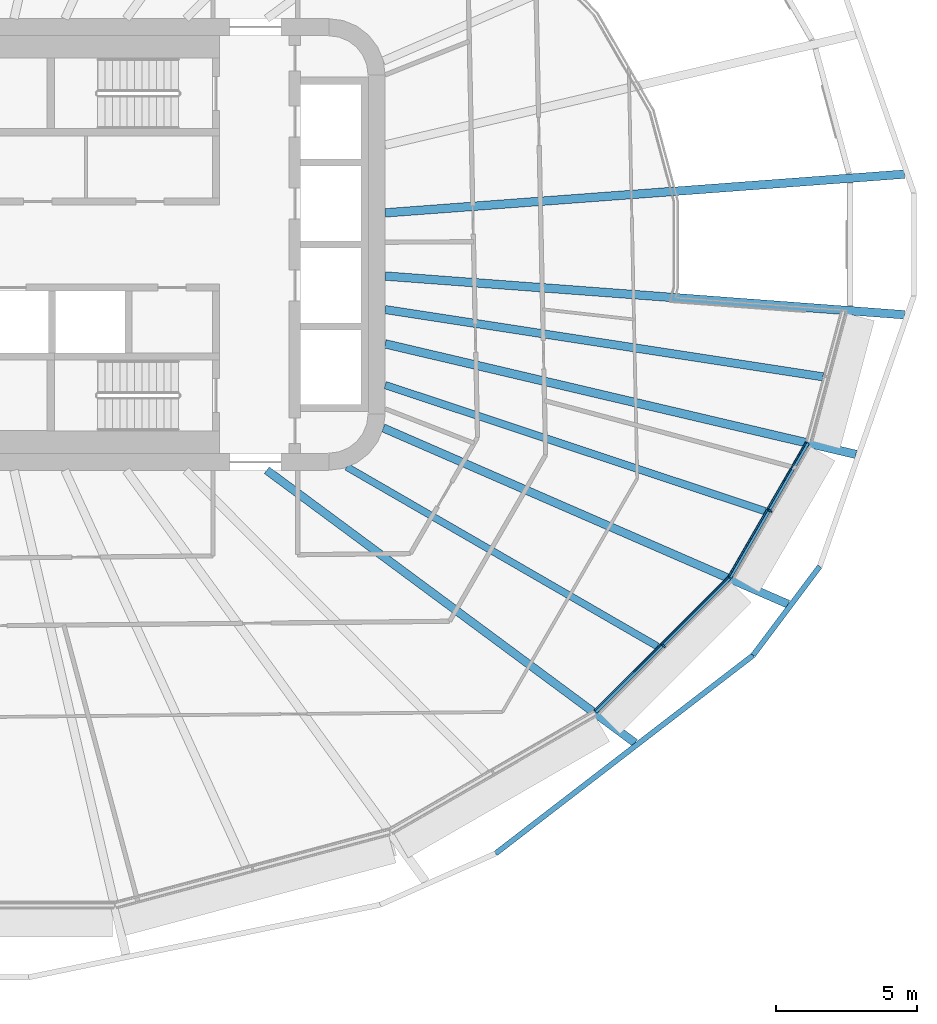
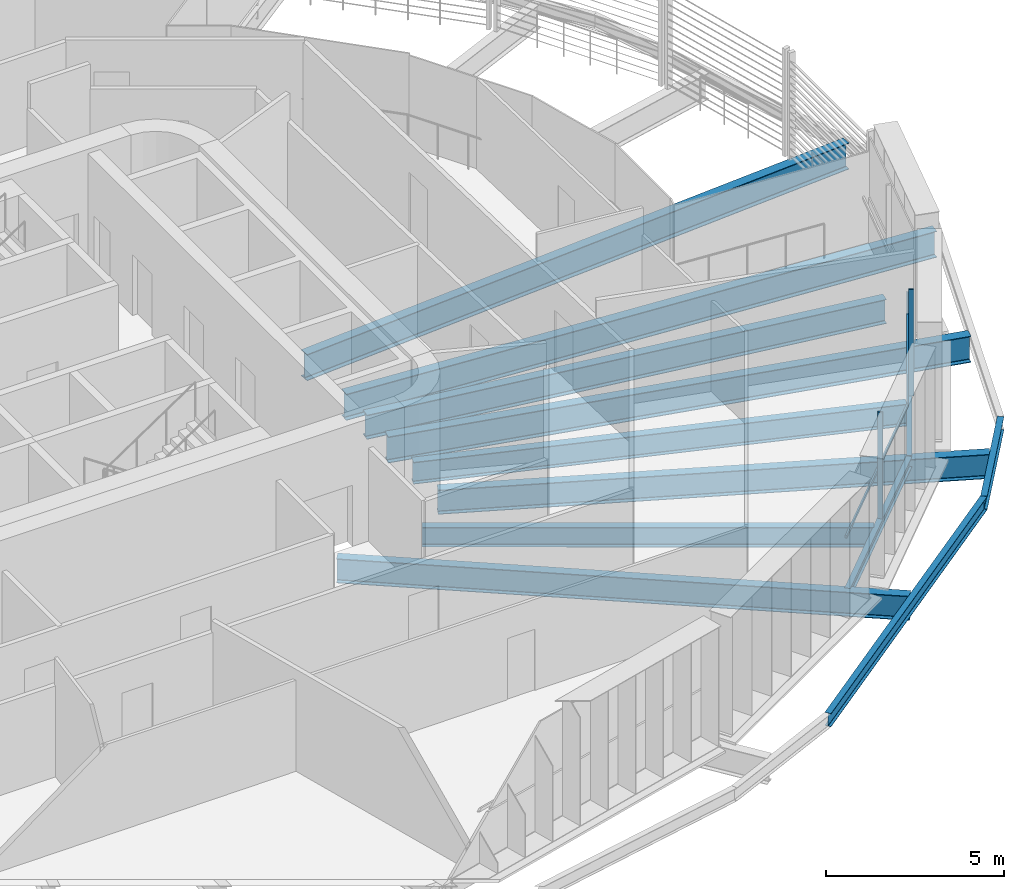
# One storey, part 5 of 28: 12 beams, 4 members, 2 elements without a shape of their own.
"""IFC4 building model written with IfcOpenShell, lengths in metres."""

from ifc_helpers import new_model, si_unit, direction, frame, origin, origin_2d, place, context, subcontext, project, spatial, rectangle, i_section, extrude, material, layer, layer_set, material_profile, profile_set, type_object, element, aggregate, save


model = new_model("IFC4")

# Units and contexts
model_context = context("Model", 3, precision=1e-05, world=origin(), true_north=direction((0.0, 1.0)))
body_context = subcontext(model_context, "Body", "Model", "MODEL_VIEW")
ifc_project = project(units=[si_unit("LENGTHUNIT", "METRE"), si_unit("AREAUNIT", "SQUARE_METRE"), si_unit("VOLUMEUNIT", "CUBIC_METRE"), si_unit("PLANEANGLEUNIT", "RADIAN"), si_unit("MASSUNIT", "GRAM", prefix="KILO")], contexts=[model_context])

# Site, building, storey
site_placement = place(None, origin())
site = spatial("IfcSite", under=ifc_project, at=site_placement, CompositionType="ELEMENT")
building_placement = place(site_placement, origin())
building = spatial("IfcBuilding", under=site, at=building_placement, Name="Sahrelin Media Tower", CompositionType="ELEMENT")
storey_placement = place(building_placement, frame((0.0, 0.0, 75.60009765625)))
storey = spatial("IfcBuildingStorey", under=building, at=storey_placement, Name="L13", CompositionType="ELEMENT", Elevation=75.60009765625)

# Beams
ifc_material_1 = material(Name="Steel S355", Category="steel")
ifc_material_profile_1 = material_profile(ifc_material_1, i_section(OverallWidth=0.1650390625, OverallDepth=0.303466796875, WebThickness=0.006103515625, FlangeThickness=0.01025390625, FilletRadius=0.0087890625, at=origin_2d()), Name="UB 305x165x40")
ifc_profile_set_1 = profile_set([ifc_material_profile_1], Name="Steel S355")
beam_type_1 = type_object("IfcBeamType", Name="Edge beam EB2", PredefinedType="BEAM", material=ifc_profile_set_1)
beam_1_placement = place(storey_placement, frame((29.95703125, -7.022705078125, -0.3017578125), z_axis=(-0.499990020211, -0.866031165542, 0.0), x_axis=(0.866031165542, -0.499990020211, 0.0)))
element("IfcBeam", 1, at=beam_1_placement, inside=storey, type_object=beam_type_1, Name="Edge beam L13-02", PredefinedType="BEAM", context=body_context, shape_type="SweptSolid", body=[
    extrude(i_section(OverallWidth=0.1650390625, OverallDepth=0.303466796875, WebThickness=0.006103515625, FlangeThickness=0.01025390625, FilletRadius=0.0087890625, at=origin_2d()), origin(), (0.0, 0.0, 1.0), 5.50244140625),
])
ifc_material_profile_2 = material_profile(ifc_material_1, i_section(OverallWidth=0.17138671875, OverallDepth=0.35498046875, WebThickness=0.00732421875, FlangeThickness=0.011474609375, FilletRadius=0.01025390625, at=origin_2d()), Name="UB 356x171x51")
ifc_profile_set_2 = profile_set([ifc_material_profile_2], Name="Steel S355")
beam_type_2 = type_object("IfcBeamType", Name="Edge beam EB3", PredefinedType="BEAM", material=ifc_profile_set_2)
beam_2_placement = place(storey_placement, frame((27.188232421875, -11.81103515625, -0.32763671875), z_axis=(-0.707106781187, -0.707106781187, 0.0), x_axis=(0.707106781187, -0.707106781187, 0.0)))
element("IfcBeam", 2, at=beam_2_placement, inside=storey, type_object=beam_type_2, Name="Edge beam L13-03", PredefinedType="BEAM", context=body_context, shape_type="SweptSolid", body=[
    extrude(i_section(OverallWidth=0.17138671875, OverallDepth=0.35498046875, WebThickness=0.00732421875, FlangeThickness=0.011474609375, FilletRadius=0.01025390625, at=origin_2d()), origin(), (0.0, 0.0, 1.0), 6.703369140625),
])

# Curtain wall, member
ifc_material_2 = material(Name="Champagne anodised aluminium 6063-T6", Category="aluminium")
ifc_layer = layer(ifc_material_2, 0.14990234375)
ifc_layer_set = layer_set([ifc_layer], Name="Tower ribbon curtain wall")
curtain_wall_type = type_object("IfcCurtainWallType", Name="Tower ribbon curtain wall", PredefinedType="NOTDEFINED", material=ifc_layer_set)
curtain_wall_1_placement = place(storey_placement, frame((24.92431640625, -14.287109375, 0.0), z_axis=(0.0, 0.0, 1.0), x_axis=(1.0, 0.0, 0.0)))
curtain_wall_1 = element("IfcCurtainWall", 3, at=curtain_wall_1_placement, inside=storey, type_object=curtain_wall_type, Name="L13:CW:L13-21", PredefinedType="NOTDEFINED")
ifc_material_profile_3 = material_profile(ifc_material_2, rectangle(XDim=0.06005859375, YDim=0.14990234375, at=origin_2d()), Name="Mullion 60x150")
ifc_profile_set_3 = profile_set([ifc_material_profile_3], Name="Champagne anodised aluminium 6063-T6")
member_type_1 = type_object("IfcMemberType", Name="Mullion 60x150 CW1", PredefinedType="MULLION", material=ifc_profile_set_3)
member_1_placement = place(storey_placement, frame((24.857177734375, -14.219970703125, 0.0), z_axis=(0.0, 0.0, 1.0), x_axis=(0.707106781187, 0.707106781187, 0.0)))
member_1 = element("IfcMember", 4, at=member_1_placement, type_object=member_type_1, Name="L13:CWM:L13-21", PredefinedType="MULLION", context=body_context, shape_type="SweptSolid", body=[
    extrude(rectangle(XDim=0.06005859375, YDim=0.14990234375, at=origin_2d()), origin(), (0.0, 0.0, 1.0), 3.6484375),
])

curtain_wall_2_placement = place(storey_placement, frame((28.711181640625, -9.48046875, 0.0), z_axis=(0.0, 0.0, 1.0), x_axis=(1.0, 0.0, 0.0)))
curtain_wall_2 = element("IfcCurtainWall", 5, at=curtain_wall_2_placement, inside=storey, type_object=curtain_wall_type, Name="L13:CW:L13-22", PredefinedType="NOTDEFINED")
member_2_placement = place(storey_placement, frame((28.62890625, -9.43310546875, 0.0), z_axis=(0.0, 0.0, 1.0), x_axis=(0.5, 0.866025403784, 0.0)))
member_2 = element("IfcMember", 6, at=member_2_placement, type_object=member_type_1, Name="L13:CWM:L13-22", PredefinedType="MULLION", context=body_context, shape_type="SweptSolid", body=[
    extrude(rectangle(XDim=0.06005859375, YDim=0.14990234375, at=origin_2d()), origin(), (0.0, 0.0, 1.0), 3.6484375),
])

# Beams
ifc_material_profile_4 = material_profile(ifc_material_1, i_section(OverallWidth=0.291748046875, OverallDepth=0.8349609375, WebThickness=0.013916015625, FlangeThickness=0.018798828125, FilletRadius=0.017822265625, at=origin_2d()), Name="UB 838x292x176")
ifc_profile_set_4 = profile_set([ifc_material_profile_4], Name="Steel S355")
beam_type_3 = type_object("IfcBeamType", Name="Radial primary beam PB10", PredefinedType="BEAM", material=ifc_profile_set_4)
beam_3_placement = place(storey_placement, frame((10.804931640625, -8.0, -0.567626953125), z_axis=(0.803688811916, -0.59504982447, 0.0), x_axis=(0.59504982447, 0.803688811916, 0.0)))
element("IfcBeam", 7, at=beam_3_placement, inside=storey, type_object=beam_type_3, Name="Radial beam L13-21", PredefinedType="BEAM", context=body_context, shape_type="SweptSolid", body=[
    extrude(i_section(OverallWidth=0.291748046875, OverallDepth=0.8349609375, WebThickness=0.013916015625, FlangeThickness=0.018798828125, FilletRadius=0.017822265625, at=origin_2d()), origin(), (0.0, 0.0, 1.0), 16.22998046875),
])
beam_4_placement = place(storey_placement, frame((14.93408203125, -6.50146484375, -0.567626953125), z_axis=(0.916883824537, -0.399154171095, 0.0), x_axis=(0.399154171095, 0.916883824537, 0.0)))
element("IfcBeam", 8, at=beam_4_placement, inside=storey, type_object=beam_type_3, Name="Radial beam L13-22", PredefinedType="BEAM", context=body_context, shape_type="SweptSolid", body=[
    extrude(i_section(OverallWidth=0.291748046875, OverallDepth=0.8349609375, WebThickness=0.013916015625, FlangeThickness=0.018798828125, FilletRadius=0.017822265625, at=origin_2d()), origin(), (0.0, 0.0, 1.0), 15.6396484375),
])
ifc_material_profile_5 = material_profile(ifc_material_1, i_section(OverallWidth=0.30322265625, OverallDepth=0.903076171875, WebThickness=0.01513671875, FlangeThickness=0.020263671875, FilletRadius=0.01904296875, at=origin_2d()), Name="UB 914x305x201")
ifc_profile_set_5 = profile_set([ifc_material_profile_5], Name="Steel S355")
beam_type_4 = type_object("IfcBeamType", Name="Radial primary beam PB11", PredefinedType="BEAM", material=ifc_profile_set_5)
beam_5_placement = place(storey_placement, frame((15.0, 1.118896484375, -0.6015625), z_axis=(0.997229894018, 0.074381035738, 0.0), x_axis=(-0.074381035738, 0.997229894018, 0.0)))
element("IfcBeam", 9, at=beam_5_placement, inside=storey, type_object=beam_type_4, Name="Radial beam L13-01", PredefinedType="BEAM", context=body_context, shape_type="SweptSolid", body=[
    extrude(i_section(OverallWidth=0.30322265625, OverallDepth=0.903076171875, WebThickness=0.01513671875, FlangeThickness=0.020263671875, FilletRadius=0.01904296875, at=origin_2d()), origin(), (0.0, 0.0, 1.0), 18.44970703125),
])
beam_6_placement = place(storey_placement, frame((15.0, -3.521728515625, -0.6015625), z_axis=(0.973524160463, -0.228584139859, 0.0), x_axis=(0.228584139859, 0.973524160463, 0.0)))
element("IfcBeam", 10, at=beam_6_placement, inside=storey, type_object=beam_type_4, Name="Radial beam L13-23", PredefinedType="BEAM", context=body_context, shape_type="SweptSolid", body=[
    extrude(i_section(OverallWidth=0.30322265625, OverallDepth=0.903076171875, WebThickness=0.01513671875, FlangeThickness=0.020263671875, FilletRadius=0.01904296875, at=origin_2d()), origin(), (0.0, 0.0, 1.0), 17.130615234375),
])
beam_7_placement = place(storey_placement, frame((15.0, -1.118896484375, -0.6015625), z_axis=(0.997229894018, -0.074381035738, 0.0), x_axis=(0.074381035738, 0.997229894018, 0.0)))
element("IfcBeam", 11, at=beam_7_placement, inside=storey, type_object=beam_type_4, Name="Radial beam L13-24", PredefinedType="BEAM", context=body_context, shape_type="SweptSolid", body=[
    extrude(i_section(OverallWidth=0.30322265625, OverallDepth=0.903076171875, WebThickness=0.01513671875, FlangeThickness=0.020263671875, FilletRadius=0.01904296875, at=origin_2d()), origin(), (0.0, 0.0, 1.0), 18.44970703125),
])
ifc_material_profile_6 = material_profile(ifc_material_1, i_section(OverallWidth=0.291748046875, OverallDepth=0.8349609375, WebThickness=0.013916015625, FlangeThickness=0.018798828125, FilletRadius=0.017822265625, at=origin_2d()), Name="UB 838x292x176")
ifc_profile_set_6 = profile_set([ifc_material_profile_6], Name="Steel S355")
beam_type_5 = type_object("IfcBeamType", Name="Radial secondary beam SB10", PredefinedType="BEAM", material=ifc_profile_set_6)
beam_8_placement = place(storey_placement, frame((15.0, -2.305908203125, -0.567626953125), z_axis=(0.988390036127, -0.151937936295, 0.0), x_axis=(0.151937936295, 0.988390036127, 0.0)))
element("IfcBeam", 12, at=beam_8_placement, inside=storey, type_object=beam_type_5, Name="Secondary beam L13-20", PredefinedType="BEAM", context=body_context, shape_type="SweptSolid", body=[
    extrude(i_section(OverallWidth=0.291748046875, OverallDepth=0.8349609375, WebThickness=0.013916015625, FlangeThickness=0.018798828125, FilletRadius=0.017822265625, at=origin_2d()), origin(), (0.0, 0.0, 1.0), 15.6923828125),
])
ifc_material_profile_7 = material_profile(ifc_material_1, i_section(OverallWidth=0.2529296875, OverallDepth=0.677978515625, WebThickness=0.01171875, FlangeThickness=0.01611328125, FilletRadius=0.01513671875, at=origin_2d()), Name="UB 686x254x125")
ifc_profile_set_7 = profile_set([ifc_material_profile_7], Name="Steel S355")
beam_type_6 = type_object("IfcBeamType", Name="Radial secondary beam SB8", PredefinedType="BEAM", material=ifc_profile_set_7)
beam_9_placement = place(storey_placement, frame((13.639404296875, -7.88134765625, -0.489013671875), z_axis=(0.865849165088, -0.500305130212, 0.0), x_axis=(0.500305130212, 0.865849165088, 0.0)))
element("IfcBeam", 13, at=beam_9_placement, inside=storey, type_object=beam_type_6, Name="Secondary beam L13-18", PredefinedType="BEAM", context=body_context, shape_type="SweptSolid", body=[
    extrude(i_section(OverallWidth=0.2529296875, OverallDepth=0.677978515625, WebThickness=0.01171875, FlangeThickness=0.01611328125, FilletRadius=0.01513671875, at=origin_2d()), origin(), (0.0, 0.0, 1.0), 12.705078125),
])
ifc_material_profile_8 = material_profile(ifc_material_1, i_section(OverallWidth=0.26513671875, OverallDepth=0.75390625, WebThickness=0.0126953125, FlangeThickness=0.017578125, FilletRadius=0.0166015625, at=origin_2d()), Name="UB 762x267x147")
ifc_profile_set_8 = profile_set([ifc_material_profile_8], Name="Steel S355")
beam_type_7 = type_object("IfcBeamType", Name="Radial secondary beam SB9", PredefinedType="BEAM", material=ifc_profile_set_8)
beam_10_placement = place(storey_placement, frame((15.0, -4.98095703125, -0.527099609375), z_axis=(0.949047598581, -0.315132758733, 0.0), x_axis=(0.315132758733, 0.949047598581, 0.0)))
element("IfcBeam", 14, at=beam_10_placement, inside=storey, type_object=beam_type_7, Name="Secondary beam L13-19", PredefinedType="BEAM", context=body_context, shape_type="SweptSolid", body=[
    extrude(i_section(OverallWidth=0.26513671875, OverallDepth=0.75390625, WebThickness=0.0126953125, FlangeThickness=0.017578125, FilletRadius=0.0166015625, at=origin_2d()), origin(), (0.0, 0.0, 1.0), 14.182861328125),
])
ifc_material_profile_9 = material_profile(ifc_material_1, i_section(OverallWidth=0.1904296875, OverallDepth=0.45703125, WebThickness=0.009033203125, FlangeThickness=0.014404296875, FilletRadius=0.01025390625, at=origin_2d()), Name="UB 457x191x74")
ifc_profile_set_9 = profile_set([ifc_material_profile_9], Name="Steel S355")
beam_type_8 = type_object("IfcBeamType", Name="Tie chord TC5", PredefinedType="BEAM", material=ifc_profile_set_9)
beam_11_placement = place(storey_placement, frame((18.91259765625, -21.5771484375, -0.378662109375), z_axis=(0.792438643027, 0.609951634998, 0.0), x_axis=(-0.609951634998, 0.792438643027, 0.0)))
element("IfcBeam", 15, at=beam_11_placement, inside=storey, type_object=beam_type_8, Name="Tie chord L13-21", PredefinedType="BEAM", context=body_context, shape_type="SweptSolid", body=[
    extrude(i_section(OverallWidth=0.1904296875, OverallDepth=0.45703125, WebThickness=0.009033203125, FlangeThickness=0.014404296875, FilletRadius=0.01025390625, at=origin_2d()), origin(), (0.0, 0.0, 1.0), 11.509521484375),
])
beam_12_placement = place(storey_placement, frame((28.033203125, -14.556884765625, -0.378662109375), z_axis=(0.600069455964, 0.799947903316, 0.0), x_axis=(-0.799947903316, 0.600069455964, 0.0)))
element("IfcBeam", 16, at=beam_12_placement, inside=storey, type_object=beam_type_8, Name="Tie chord L13-22", PredefinedType="BEAM", context=body_context, shape_type="SweptSolid", body=[
    extrude(i_section(OverallWidth=0.1904296875, OverallDepth=0.45703125, WebThickness=0.009033203125, FlangeThickness=0.014404296875, FilletRadius=0.01025390625, at=origin_2d()), origin(), (0.0, 0.0, 1.0), 3.936767578125),
])

# Member
ifc_material_profile_10 = material_profile(ifc_material_2, rectangle(XDim=0.050048828125, YDim=0.10009765625, at=origin_2d()), Name="Transom 50x100")
ifc_profile_set_10 = profile_set([ifc_material_profile_10], Name="Champagne anodised aluminium 6063-T6")
member_type_2 = type_object("IfcMemberType", Name="Transom 50x100 CW1", PredefinedType="USERDEFINED", material=ifc_profile_set_10)
member_3_placement = place(storey_placement, frame((22.427490234375, -16.508056640625, 1.599853515625), z_axis=(0.707106781187, 0.707106781187, 0.0), x_axis=(-0.707106781187, 0.707106781187, 0.0)))
member_3 = element("IfcMember", 17, at=member_3_placement, type_object=member_type_2, Name="L13:CWT:L13-21", ObjectType="TRANSOM", PredefinedType="USERDEFINED", context=body_context, shape_type="SweptSolid", body=[
    extrude(rectangle(XDim=0.050048828125, YDim=0.10009765625, at=origin_2d()), origin(), (0.0, 0.0, 1.0), 6.671875),
])

aggregate(curtain_wall_1, [member_1, member_3])

member_4_placement = place(storey_placement, frame((27.174560546875, -11.752197265625, 1.599853515625), z_axis=(0.499992837287, 0.866029539139, 0.0), x_axis=(-0.866029539139, 0.499992837287, 0.0)))
member_4 = element("IfcMember", 18, at=member_4_placement, type_object=member_type_2, Name="L13:CWT:L13-22", ObjectType="TRANSOM", PredefinedType="USERDEFINED", context=body_context, shape_type="SweptSolid", body=[
    extrude(rectangle(XDim=0.050048828125, YDim=0.10009765625, at=origin_2d()), origin(), (0.0, 0.0, 1.0), 5.47119140625),
])

aggregate(curtain_wall_2, [member_2, member_4])

save(model, "model.ifc")
